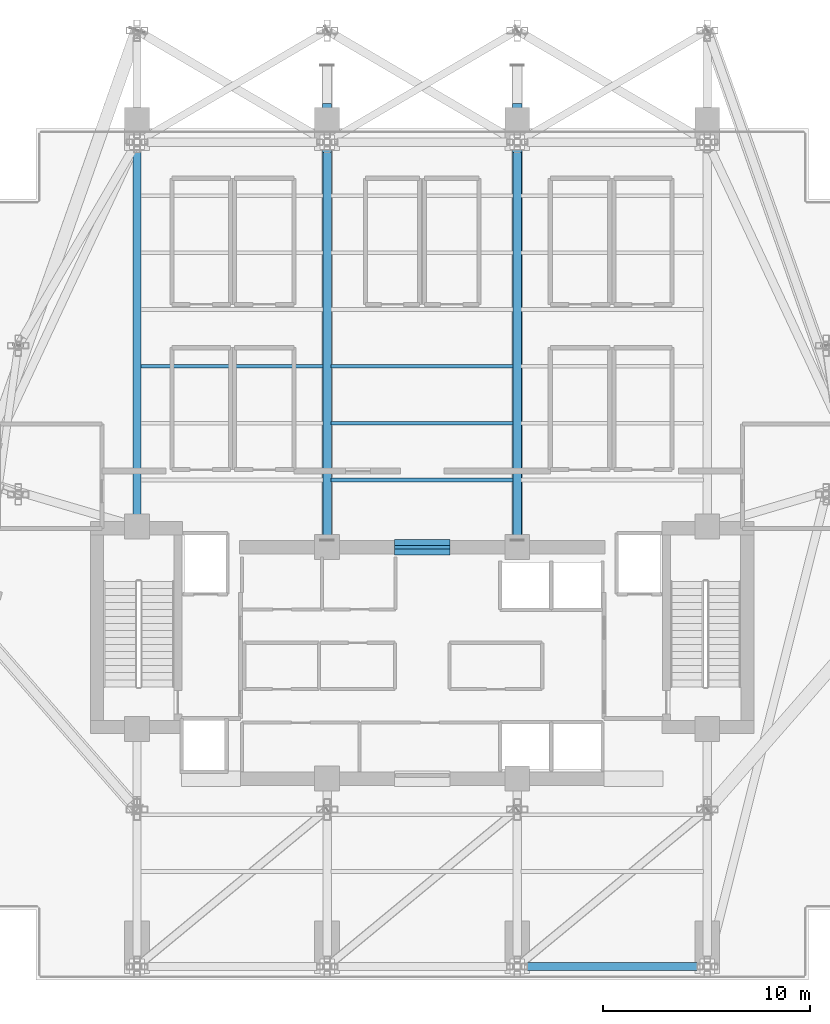
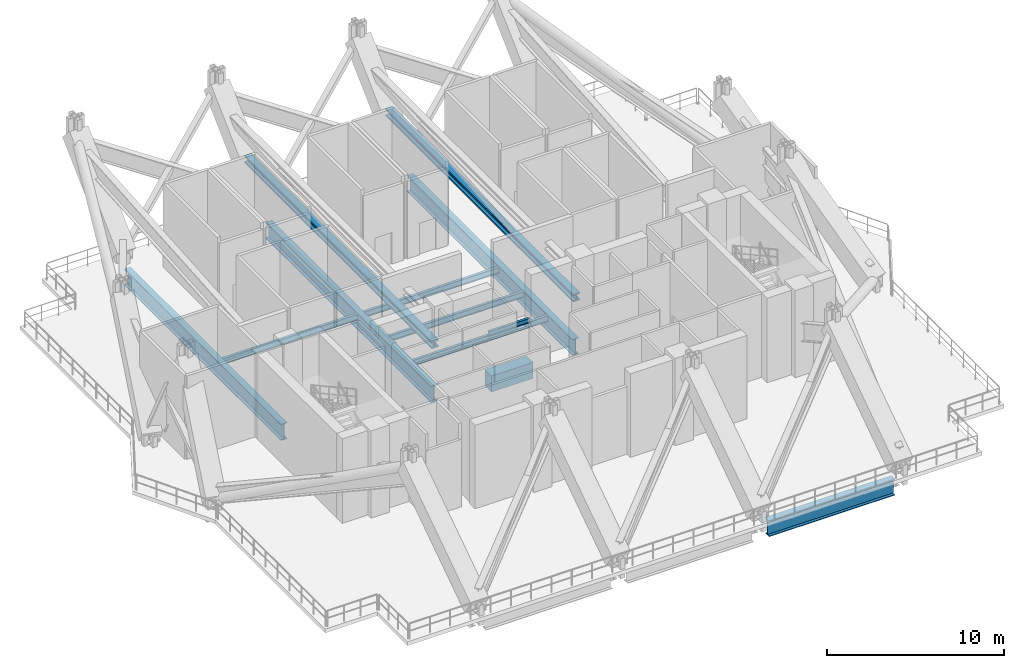
# One storey, part 3 of 18: 10 beams, 2 members.
"""IFC4 building model written with IfcOpenShell, lengths in metres."""

from ifc_helpers import new_model, si_unit, direction, frame, origin, origin_2d, place, context, subcontext, project, spatial, rectangle, i_section, extrude, material, material_profile, profile_set, type_object, element, save


model = new_model("IFC4")

# Units and contexts
model_context = context("Model", 3, precision=1e-05, world=origin(), true_north=direction((0.0, 1.0)))
body_context = subcontext(model_context, "Body", "Model", "MODEL_VIEW")
ifc_project = project(units=[si_unit("LENGTHUNIT", "METRE"), si_unit("AREAUNIT", "SQUARE_METRE"), si_unit("VOLUMEUNIT", "CUBIC_METRE"), si_unit("PLANEANGLEUNIT", "RADIAN"), si_unit("MASSUNIT", "GRAM", prefix="KILO")], contexts=[model_context])

# Site, building, storey
site_placement = place(None, origin())
site = spatial("IfcSite", under=ifc_project, at=site_placement, CompositionType="ELEMENT")
building_placement = place(site_placement, origin())
building = spatial("IfcBuilding", under=site, at=building_placement, Name="Zuhayl Quay Hotel", CompositionType="ELEMENT")
storey_placement = place(building_placement, frame((0.0, 0.0, 233.64990234375)))
storey = spatial("IfcBuildingStorey", under=building, at=storey_placement, Name="L59", CompositionType="ELEMENT", Elevation=233.64990234375)

# Beams
ifc_material_1 = material(Name="Concrete C60/75", Category="concrete")
ifc_material_profile_1 = material_profile(ifc_material_1, rectangle(XDim=0.75, YDim=1.10009765625, at=origin_2d()), Name="RC750X1100")
ifc_profile_set_1 = profile_set([ifc_material_profile_1], Name="Concrete C60/75")
beam_type_1 = type_object("IfcBeamType", Name="BM_CB2_RC750", PredefinedType="T_BEAM", material=ifc_profile_set_1)
beam_1_placement = place(storey_placement, frame((-1.35009765625, 13.35009765625, -0.809814453125), z_axis=(1.0, 0.0, 0.0), x_axis=(0.0, 1.0, 0.0)))
element("IfcBeam", 1, at=beam_1_placement, inside=storey, type_object=beam_type_1, Name="L59 Core Coupling Beam North", PredefinedType="T_BEAM", context=body_context, shape_type="SweptSolid", body=[
    extrude(rectangle(XDim=0.75, YDim=1.10009765625, at=origin_2d()), origin(), (0.0, 0.0, 1.0), 2.7001953125),
])
ifc_material_2 = material(Name="Steel ASTM A992 Grade 50", Category="steel")
ifc_material_profile_2 = material_profile(ifc_material_2, i_section(OverallWidth=0.177978515625, OverallDepth=0.406005859375, WebThickness=0.0078125, FlangeThickness=0.0126953125, at=origin_2d()), Name="W16X40")
ifc_profile_set_2 = profile_set([ifc_material_profile_2], Name="Steel ASTM A992 Grade 50")
beam_type_2 = type_object("IfcBeamType", Name="BM_J2B_W16X40", PredefinedType="JOIST", material=ifc_profile_set_2)
for number, where, z_axis, x_axis, name in (
    (2, (-4.406005859375, 16.60009765625, -0.462890625), (1.0, 0.0, 0.0), (0.0, 1.0, 0.0), "L59 Floor Beam FJ_L59_1_2"),
    (3, (-4.406005859375, 19.35009765625, -0.462890625), (1.0, 0.0, 0.0), (0.0, 1.0, 0.0), "L59 Floor Beam FJ_L59_2_2"),
    (4, (-13.60595703125, 22.10009765625, -0.462890625), (1.0, 0.0, 0.0), (0.0, 1.0, 0.0), "L59 Floor Beam FJ_L59_3_1"),
    (5, (-4.406005859375, 22.10009765625, -0.462890625), (1.0, 0.0, 0.0), (0.0, 1.0, 0.0), "L59 Floor Beam FJ_L59_3_2"),
):
    element("IfcBeam", number, at=place(storey_placement, frame(where, z_axis=z_axis, x_axis=x_axis)), inside=storey, type_object=beam_type_2, Name=name, PredefinedType="JOIST", context=body_context, shape_type="SweptSolid", body=[
        extrude(i_section(OverallWidth=0.177978515625, OverallDepth=0.406005859375, WebThickness=0.0078125, FlangeThickness=0.0126953125, at=origin_2d()), origin(), (0.0, 0.0, 1.0), 8.81201171875),
    ])
ifc_material_profile_3 = material_profile(ifc_material_2, i_section(OverallWidth=0.1650390625, OverallDepth=0.31005859375, WebThickness=0.005859375, FlangeThickness=0.009765625, at=origin_2d()), Name="W12X26")
ifc_profile_set_3 = profile_set([ifc_material_profile_3], Name="Steel ASTM A992 Grade 50")
beam_type_3 = type_object("IfcBeamType", Name="BM_LN1_W12X26", PredefinedType="LINTEL", material=ifc_profile_set_3)
beam_2_placement = place(storey_placement, frame((-1.35009765625, 13.35009765625, 2.4501953125), z_axis=(1.0, 0.0, 0.0), x_axis=(0.0, 1.0, 0.0)))
element("IfcBeam", 6, at=beam_2_placement, inside=storey, type_object=beam_type_3, Name="L59 Core Portal Header Steel Lintel LN1-8", PredefinedType="LINTEL", context=body_context, shape_type="SweptSolid", body=[
    extrude(i_section(OverallWidth=0.1650390625, OverallDepth=0.31005859375, WebThickness=0.005859375, FlangeThickness=0.009765625, at=origin_2d()), origin(), (0.0, 0.0, 1.0), 2.7001953125),
])
ifc_material_3 = material(Name="Steel ASTM A913 Grade 65", Category="steel")
ifc_material_profile_4 = material_profile(ifc_material_3, i_section(OverallWidth=0.404052734375, OverallDepth=1.117919921875, WebThickness=0.026123046875, FlangeThickness=0.044921875, at=origin_2d()), Name="W44X335")
ifc_profile_set_4 = profile_set([ifc_material_profile_4], Name="Steel ASTM A913 Grade 65")
beam_type_4 = type_object("IfcBeamType", Name="BM_TG1_W44X335", PredefinedType="BEAM", material=ifc_profile_set_4)
beam_3_placement = place(storey_placement, frame((5.10009765625, -6.949951171875, -0.81884765625), z_axis=(1.0, 0.0, 0.0), x_axis=(0.0, 1.0, 0.0)))
element("IfcBeam", 7, at=beam_3_placement, inside=storey, type_object=beam_type_4, Name="L59 Floor Beam RG_L59_03", PredefinedType="BEAM", context=body_context, shape_type="SweptSolid", body=[
    extrude(i_section(OverallWidth=0.404052734375, OverallDepth=1.117919921875, WebThickness=0.026123046875, FlangeThickness=0.044921875, at=origin_2d()), origin(), (0.0, 0.0, 1.0), 8.199951171875),
])
beam_4_placement = place(storey_placement, frame((-13.800048828125, 14.800048828125, -0.81884765625), z_axis=(0.0, 1.0, 0.0), x_axis=(-1.0, 0.0, 0.0)))
element("IfcBeam", 8, at=beam_4_placement, inside=storey, type_object=beam_type_4, Name="L59 Floor Beam FG_N_L59_1", PredefinedType="BEAM", context=body_context, shape_type="SweptSolid", body=[
    extrude(i_section(OverallWidth=0.404052734375, OverallDepth=1.117919921875, WebThickness=0.026123046875, FlangeThickness=0.044921875, at=origin_2d()), origin(), (0.0, 0.0, 1.0), 17.64990234375),
])
for number, where, z_axis, x_axis, name in (
    (9, (-4.60009765625, 13.800048828125, -0.81884765625), (0.0, 1.0, 0.0), (-1.0, 0.0, 0.0), "L59 Floor Beam FG_N_L59_2"),
    (10, (4.60009765625, 13.800048828125, -0.81884765625), (0.0, 1.0, 0.0), (-1.0, 0.0, 0.0), "L59 Floor Beam FG_N_L59_3"),
):
    element("IfcBeam", number, at=place(storey_placement, frame(where, z_axis=z_axis, x_axis=x_axis)), inside=storey, type_object=beam_type_4, Name=name, PredefinedType="BEAM", context=body_context, shape_type="SweptSolid", body=[
        extrude(i_section(OverallWidth=0.404052734375, OverallDepth=1.117919921875, WebThickness=0.026123046875, FlangeThickness=0.044921875, at=origin_2d()), origin(), (0.0, 0.0, 1.0), 18.64990234375),
    ])

# Members
ifc_material_profile_5 = material_profile(ifc_material_3, i_section(OverallWidth=0.44189453125, OverallDepth=0.531005859375, WebThickness=0.06591796875, FlangeThickness=0.105712890625, at=origin_2d()), Name="W14X605")
ifc_profile_set_5 = profile_set([ifc_material_profile_5], Name="Steel ASTM A913 Grade 65")
member_type = type_object("IfcMemberType", Name="MB_OT_CHORD_605", PredefinedType="CHORD", material=ifc_profile_set_5)
for number, where, z_axis, x_axis, name in (
    (11, (-4.60009765625, 13.699951171875, 2.650146484375), (0.0, 1.0, 0.0), (-1.0, 0.0, 0.0), "L59 Outrigger Truss OT3 North Bottom Chord 1"),
    (12, (4.60009765625, 13.699951171875, 2.650146484375), (0.0, 1.0, 0.0), (-1.0, 0.0, 0.0), "L59 Outrigger Truss OT3 North Bottom Chord 2"),
):
    element("IfcMember", number, at=place(storey_placement, frame(where, z_axis=z_axis, x_axis=x_axis)), inside=storey, type_object=member_type, Name=name, PredefinedType="CHORD", context=body_context, shape_type="SweptSolid", body=[
        extrude(i_section(OverallWidth=0.44189453125, OverallDepth=0.531005859375, WebThickness=0.06591796875, FlangeThickness=0.105712890625, at=origin_2d()), origin(), (0.0, 0.0, 1.0), 21.1220703125),
    ])

save(model, "model.ifc")
